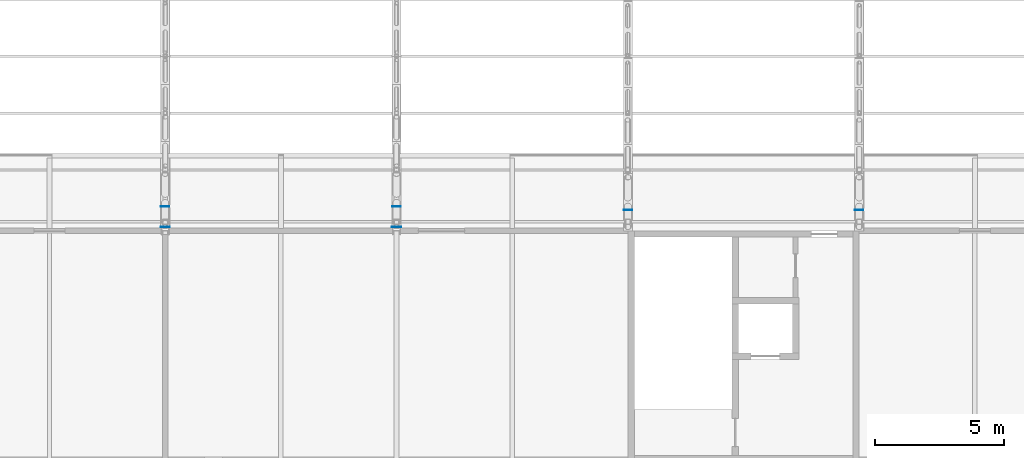
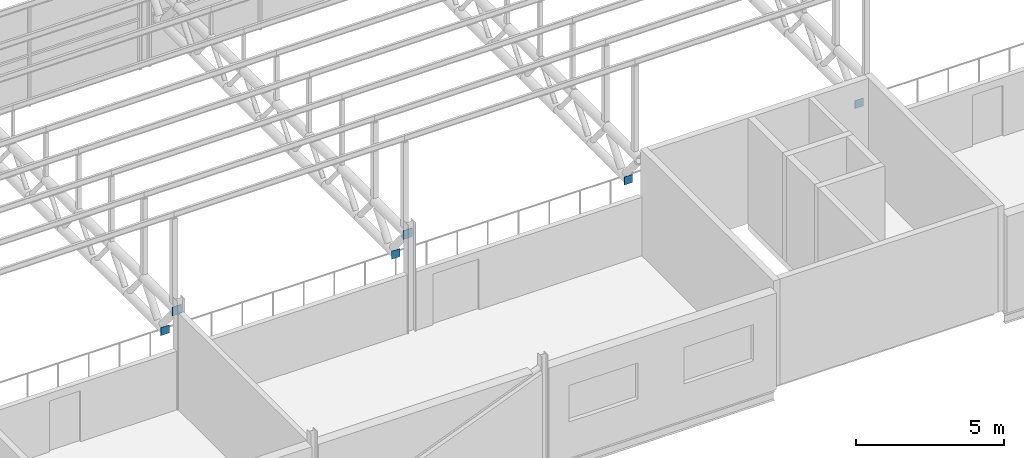
# One storey, part 107 of 138: 6 plates.
"""IFC4 building model written with IfcOpenShell, lengths in metres."""

from ifc_helpers import new_model, si_unit, direction, frame, origin, origin_2d, place, context, subcontext, project, spatial, rectangle, extrude, material, layer, layer_set, type_object, element, save


model = new_model("IFC4")

# Units and contexts
model_context = context("Model", 3, precision=1e-05, world=origin(), true_north=direction((0.0, 1.0)))
body_context = subcontext(model_context, "Body", "Model", "MODEL_VIEW")
ifc_project = project(units=[si_unit("LENGTHUNIT", "METRE"), si_unit("AREAUNIT", "SQUARE_METRE"), si_unit("VOLUMEUNIT", "CUBIC_METRE"), si_unit("PLANEANGLEUNIT", "RADIAN"), si_unit("MASSUNIT", "GRAM", prefix="KILO")], contexts=[model_context])

# Site, building, storey
site_placement = place(None, origin())
site = spatial("IfcSite", under=ifc_project, at=site_placement, CompositionType="ELEMENT")
building_placement = place(site_placement, origin())
building = spatial("IfcBuilding", under=site, at=building_placement, Name="Corbel Yard City Hall", CompositionType="ELEMENT")
storey_placement = place(building_placement, frame((0.0, 0.0, 10.5)))
storey = spatial("IfcBuildingStorey", under=building, at=storey_placement, Name="L02", CompositionType="ELEMENT", Elevation=10.5)

# Plates
ifc_material = material(Name="Steel Grade 300 (300 MPa yield)", Category="steel")
ifc_layer_1 = layer(ifc_material, 0.01611328125)
ifc_layer_set_1 = layer_set([ifc_layer_1], Name="Steel Grade 300 (300 MPa yield)")
plate_type_1 = type_object("IfcPlateType", Name="Truss bottom chord cap plate", PredefinedType="NOTDEFINED", material=ifc_layer_set_1)
for number, where, z_axis, x_axis, name in (
    (1, (99.0, 9.950439453125, 2.42724609375), (0.0, 0.0, 1.0), (1.0, 0.0, 0.0), "Truss bottom chord cap plate EP2"),
    (2, (108.0, 9.950439453125, 2.42724609375), (0.0, 0.0, 1.0), (1.0, 0.0, 0.0), "Truss bottom chord cap plate EP2"),
    (3, (117.0, 9.807373046875, 2.42724609375), (0.0, 0.0, 1.0), (1.0, 0.0, 0.0), "Truss bottom chord cap plate EP2"),
    (4, (126.0, 9.807373046875, 2.42724609375), (0.0, 0.0, 1.0), (1.0, 0.0, 0.0), "Truss bottom chord cap plate EP2"),
):
    element("IfcPlate", number, at=place(storey_placement, frame(where, z_axis=z_axis, x_axis=x_axis)), inside=storey, type_object=plate_type_1, Name=name, PredefinedType="NOTDEFINED", context=body_context, shape_type="SweptSolid", body=[
        extrude(rectangle(XDim=0.330078125, YDim=0.01611328125, at=origin_2d()), origin(), (0.0, 0.0, 1.0), 0.330078125),
    ])
ifc_layer_2 = layer(ifc_material, 0.02490234375)
ifc_layer_set_2 = layer_set([ifc_layer_2], Name="Steel Grade 300 (300 MPa yield)")
plate_type_2 = type_object("IfcPlateType", Name="Truss top chord end plate", PredefinedType="NOTDEFINED", material=ifc_layer_set_2)
for number, where, z_axis, x_axis, name in (
    (5, (99.0, 9.139892578125, 3.7421875), (0.0, 0.0, 1.0), (1.0, 0.0, 0.0), "Truss top chord end plate EP1"),
    (6, (108.0, 9.139892578125, 3.7421875), (0.0, 0.0, 1.0), (1.0, 0.0, 0.0), "Truss top chord end plate EP1"),
):
    element("IfcPlate", number, at=place(storey_placement, frame(where, z_axis=z_axis, x_axis=x_axis)), inside=storey, type_object=plate_type_2, Name=name, PredefinedType="NOTDEFINED", context=body_context, shape_type="SweptSolid", body=[
        extrude(rectangle(XDim=0.360107421875, YDim=0.02490234375, at=origin_2d()), origin(), (0.0, 0.0, 1.0), 0.360107421875),
    ])

save(model, "model.ifc")
